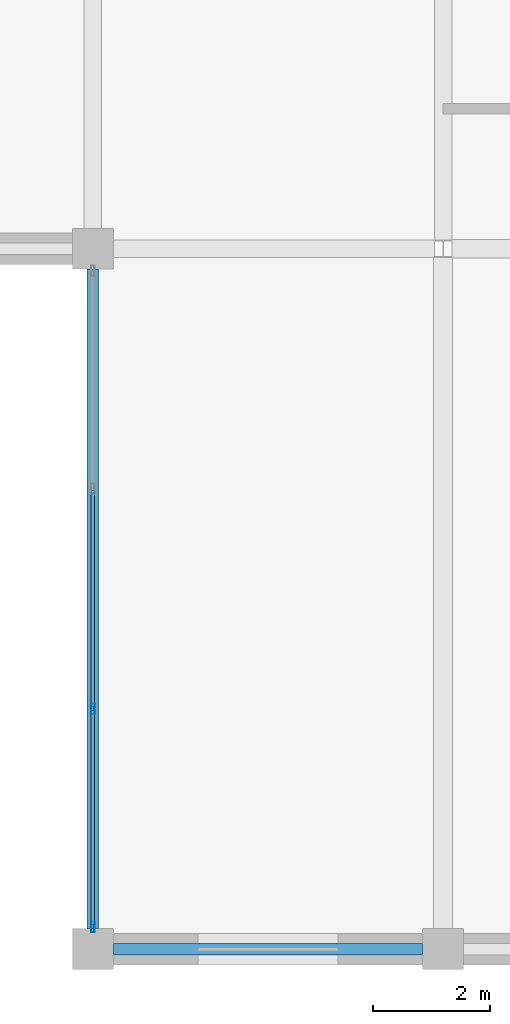
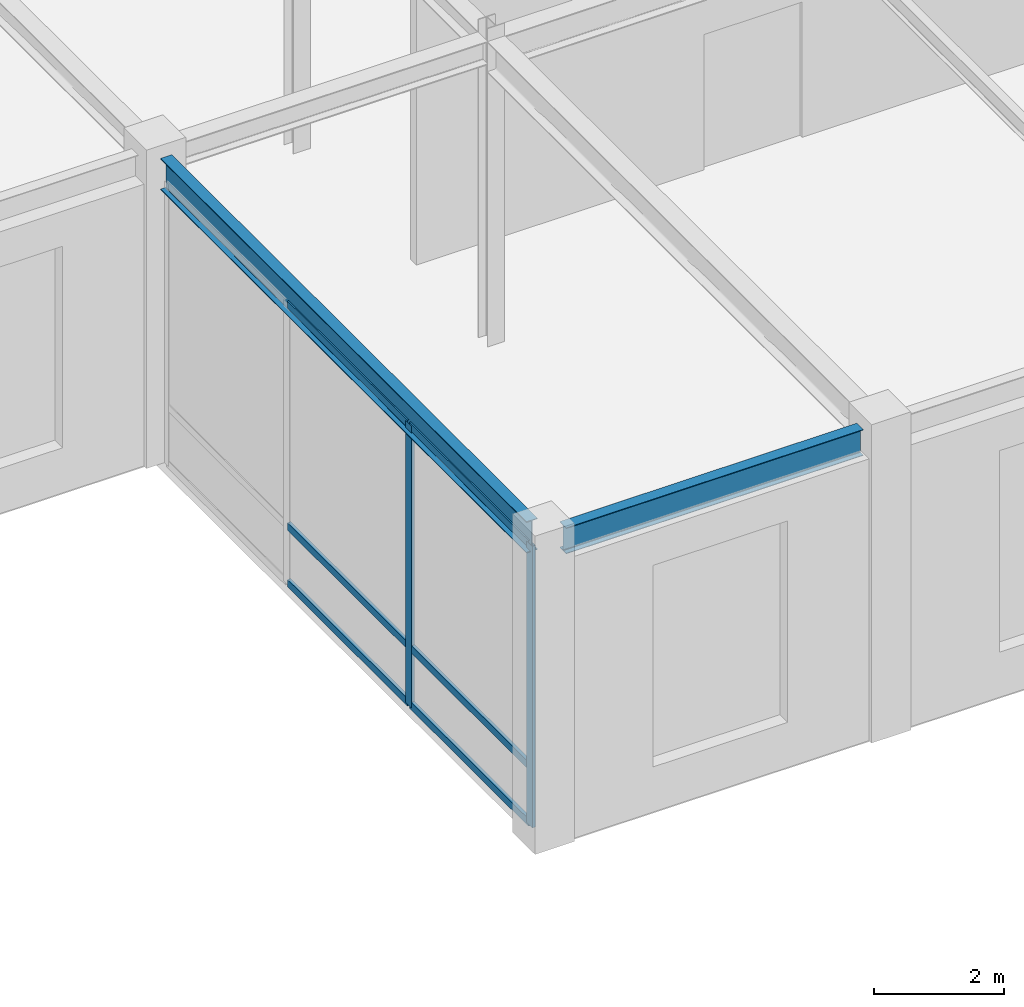
# One storey, part 58 of 108: 8 members, 2 beams, 1 element without a shape of its own.
"""IFC4 building model written with IfcOpenShell, lengths in metres."""

import ifcopenshell
import ifcopenshell.guid

model = None  # the IFC model being written
_history = None  # IfcOwnerHistory: only IFC2X3 demands one
_inside = {}  # id of a spatial element -> (the spatial element, [elements in it])
_under = {}  # id of a project, library or spatial element -> (it, [spatial elements below it])
_declared = {}  # id of a project -> (the project, [libraries it declares])
_typed = {}  # id of a type object -> (the type object, [elements of that type])
_made_of = {}  # id of a material, layer set ... -> (it, [elements and type objects made of it])


def new_model(schema):
    """Start an empty IFC model of exactly this schema.

    Asked for "IFC4X3", IfcOpenShell would pick the latest addendum, in which some entities
    have other attributes; the version numbers below select the first issue.
    IFC2X3 requires an IfcOwnerHistory on every rooted entity: one is made here for all.
    """
    global model, _history
    if schema == "IFC4X3":
        model = ifcopenshell.file(schema_version=(4, 3, 0, 0))
    else:
        model = ifcopenshell.file(schema=schema)
    _inside.clear()
    _under.clear()
    _declared.clear()
    _typed.clear()
    _made_of.clear()
    _history = None
    if model.schema == "IFC2X3":
        org = make("IfcOrganization", Name="unknown")
        user = make(
            "IfcPersonAndOrganization",
            ThePerson=make("IfcPerson", FamilyName="unknown"),
            TheOrganization=org,
        )
        app = make(
            "IfcApplication",
            ApplicationDeveloper=org,
            Version="unknown",
            ApplicationFullName="unknown",
            ApplicationIdentifier="unknown",
        )
        _history = make(
            "IfcOwnerHistory",
            OwningUser=user,
            OwningApplication=app,
            ChangeAction="ADDED",
            CreationDate=0,
        )
    return model


def make(cls, **values):
    """One entity of the class cls with the attributes given. An attribute that is None is left unset."""
    return model.create_entity(
        cls, **{name: value for name, value in values.items() if value is not None}
    )


def rooted(cls, **values):
    """An entity with a GlobalId (a new one), such as an element, a storey or a relation."""
    return make(cls, GlobalId=ifcopenshell.guid.new(), OwnerHistory=_history, **values)


def si_unit(unit_type, name, prefix=None):
    """IfcSIUnit, for example si_unit("LENGTHUNIT", "METRE", prefix="MILLI")."""
    return make("IfcSIUnit", UnitType=unit_type, Prefix=prefix, Name=name)


def assignment(units):
    """IfcUnitAssignment: the units of a project."""
    return None if units is None else make("IfcUnitAssignment", Units=units)


def point(xyz):
    """IfcCartesianPoint."""
    return None if xyz is None else make("IfcCartesianPoint", Coordinates=xyz)


def direction(xyz):
    """IfcDirection."""
    return None if xyz is None else make("IfcDirection", DirectionRatios=xyz)


def frame(location, z_axis=None, x_axis=None):
    """IfcAxis2Placement3D, a coordinate frame: its origin and axes. An axis left out is left unset."""
    return make(
        "IfcAxis2Placement3D",
        Location=point(location),
        Axis=direction(z_axis),
        RefDirection=direction(x_axis),
    )


def frame_2d(location, x_axis=None):
    """IfcAxis2Placement2D, a coordinate frame in the plane: its origin and x axis."""
    return make(
        "IfcAxis2Placement2D", Location=point(location), RefDirection=direction(x_axis)
    )


def origin():
    """The frame at (0, 0, 0) with its axes left unset."""
    return frame((0.0, 0.0, 0.0))


def origin_2d():
    """The frame at (0, 0) in the plane with its x axis left unset."""
    return frame_2d((0.0, 0.0))


def place(relative_to, where):
    """IfcLocalPlacement: puts the frame where relative to a parent placement (None: the world)."""
    return make(
        "IfcLocalPlacement", PlacementRelTo=relative_to, RelativePlacement=where
    )


def context(
    kind, dimensions, precision=None, world=None, true_north=None, identifier=None
):
    """IfcGeometricRepresentationContext, for example the 3D "Model" context."""
    return make(
        "IfcGeometricRepresentationContext",
        ContextIdentifier=identifier,
        ContextType=kind,
        CoordinateSpaceDimension=dimensions,
        Precision=precision,
        WorldCoordinateSystem=world,
        TrueNorth=true_north,
    )


def subcontext(parent, identifier, kind, view, scale=None):
    """IfcGeometricRepresentationSubContext, for example "Body" below "Model"."""
    return make(
        "IfcGeometricRepresentationSubContext",
        ContextIdentifier=identifier,
        ContextType=kind,
        ParentContext=parent,
        TargetScale=scale,
        TargetView=view,
    )


def project(units=None, contexts=None):
    """IfcProject with its units and contexts."""
    return rooted(
        "IfcProject",
        Name="project",
        RepresentationContexts=contexts,
        UnitsInContext=assignment(units),
    )


def spatial(cls, under=None, at=None, **own):
    """A site, building, storey or space (cls), placed at a placement, below another one or the project."""
    s = rooted(cls, ObjectPlacement=at, **own)
    if under is not None:
        _under.setdefault(under.id(), (under, []))[1].append(s)
    return s


def profile(cls, at=None, kind="AREA", **sizes):
    """A parametric profile (cls). Its sizes go by their IFC names, for example OverallWidth=200.0."""
    return make(cls, ProfileType=kind, Position=at, **sizes)


def hollow_rectangle(**sizes):
    """IfcRectangleHollowProfileDef."""
    return profile("IfcRectangleHollowProfileDef", **sizes)


def i_section(**sizes):
    """IfcIShapeProfileDef."""
    return profile("IfcIShapeProfileDef", **sizes)


def extrude(swept, where, along, depth):
    """IfcExtrudedAreaSolid: the profile swept, set in the frame where, extruded along a direction by depth."""
    return make(
        "IfcExtrudedAreaSolid",
        SweptArea=swept,
        Position=where,
        ExtrudedDirection=direction(along),
        Depth=depth,
    )


def shape(context_of_items, identifier, shape_type, items):
    """IfcShapeRepresentation: the items that make up one representation, for example the "Body"."""
    return make(
        "IfcShapeRepresentation",
        ContextOfItems=context_of_items,
        RepresentationIdentifier=identifier,
        RepresentationType=shape_type,
        Items=items,
    )


def material(Name=None, Category=None):
    """IfcMaterial."""
    return make("IfcMaterial", Name=Name, Category=Category)


def layer(
    of_material, thickness, ventilated=None, Name=None, Category=None, Priority=None
):
    """IfcMaterialLayer: one layer of a wall or slab, of a material (None: an air gap)."""
    return make(
        "IfcMaterialLayer",
        Material=of_material,
        LayerThickness=thickness,
        IsVentilated=ventilated,
        Name=Name,
        Category=Category,
        Priority=Priority,
    )


def layer_set(layers, Name=None):
    """IfcMaterialLayerSet."""
    return make("IfcMaterialLayerSet", MaterialLayers=layers, LayerSetName=Name)


def material_profile(
    of_material, cross_section, Name=None, Category=None, Priority=None
):
    """IfcMaterialProfile: a cross section and its material."""
    return make(
        "IfcMaterialProfile",
        Name=Name,
        Material=of_material,
        Profile=cross_section,
        Priority=Priority,
        Category=Category,
    )


def profile_set(profiles, Name=None, composite=None):
    """IfcMaterialProfileSet."""
    return make(
        "IfcMaterialProfileSet",
        Name=Name,
        MaterialProfiles=profiles,
        CompositeProfile=composite,
    )


def made_of(thing, what):
    """Note that an element or type object is made of a material, layer set ...; save() writes the relation."""
    if what is not None:
        _made_of.setdefault(what.id(), (what, []))[1].append(thing)
    return thing


def type_object(cls, material=None, **own):
    """A type object (cls), such as IfcWallType, which elements share."""
    return made_of(rooted(cls, **own), material)


def element(
    cls,
    number,
    at=None,
    inside=None,
    cuts=None,
    type_object=None,
    material=None,
    context=None,
    identifier="Body",
    shape_type=None,
    held_by="IfcProductDefinitionShape",
    body=None,
    shapes=None,
    **own,
):
    """One element of the class cls, such as IfcWall. Its Tag is "e" and its number.

    at: its placement. inside: the storey or other place that contains it. cuts: it is an
    opening in that element (IfcRelVoidsElement). A single representation is given by context,
    identifier, shape_type and body (its items); several are given by shapes. held_by: the class
    of the entity that holds the representations. save() writes the other relations.
    """
    e = rooted(cls, Tag="e%d" % number, ObjectPlacement=at, **own)
    if body is not None:
        shapes = [shape(context, identifier, shape_type, body)]
    if shapes is not None:
        e.Representation = make(held_by, Representations=shapes)
    if inside is not None:
        _inside.setdefault(inside.id(), (inside, []))[1].append(e)
    if cuts is not None:
        rooted(
            "IfcRelVoidsElement", RelatingBuildingElement=cuts, RelatedOpeningElement=e
        )
    if type_object is not None:
        _typed.setdefault(type_object.id(), (type_object, []))[1].append(e)
    return made_of(e, material)


def aggregate(whole, parts):
    """IfcRelAggregates: a whole, such as a stair, and the parts it consists of."""
    return rooted("IfcRelAggregates", RelatingObject=whole, RelatedObjects=parts)


def save(model, path):
    """Write the relations noted so far, then the file.

    IfcRelAggregates (storeys below a building ...), IfcRelContainedInSpatialStructure (elements
    in a storey), IfcRelDefinesByType, IfcRelAssociatesMaterial and IfcRelDeclares: one each for
    every whole, place, type object, material and project.
    """
    for whole, parts in _under.values():
        aggregate(whole, parts)
    for where, things in _inside.values():
        rooted(
            "IfcRelContainedInSpatialStructure",
            RelatedElements=things,
            RelatingStructure=where,
        )
    for kind, things in _typed.values():
        rooted("IfcRelDefinesByType", RelatedObjects=things, RelatingType=kind)
    for what, things in _made_of.values():
        rooted("IfcRelAssociatesMaterial", RelatedObjects=things, RelatingMaterial=what)
    for by, libraries in _declared.values():
        rooted("IfcRelDeclares", RelatingContext=by, RelatedDefinitions=libraries)
    model.write(path)


model = new_model("IFC4")

# Units and contexts
model_context = context("Model", 3, precision=1e-05, world=origin(), true_north=direction((0.0, 1.0)))
body_context = subcontext(model_context, "Body", "Model", "MODEL_VIEW")
ifc_project = project(units=[si_unit("LENGTHUNIT", "METRE"), si_unit("AREAUNIT", "SQUARE_METRE"), si_unit("VOLUMEUNIT", "CUBIC_METRE"), si_unit("PLANEANGLEUNIT", "RADIAN"), si_unit("MASSUNIT", "GRAM", prefix="KILO")], contexts=[model_context])

# Site, building, storey
site_placement = place(None, origin())
site = spatial("IfcSite", under=ifc_project, at=site_placement, CompositionType="ELEMENT")
building_placement = place(site_placement, origin())
building = spatial("IfcBuilding", under=site, at=building_placement, Name="Zlatovratsky Civic Hall", CompositionType="ELEMENT")
storey_placement = place(building_placement, frame((0.0, 0.0, 6.0)))
storey = spatial("IfcBuildingStorey", under=building, at=storey_placement, Name="L02", CompositionType="ELEMENT", Elevation=6.0)

# Beams
ifc_material_1 = material(Name="Steel S355", Category="steel")
ifc_material_profile_1 = material_profile(ifc_material_1, i_section(OverallWidth=0.198974609375, OverallDepth=0.491943359375, WebThickness=0.0087890625, FlangeThickness=0.011962890625, FilletRadius=0.01611328125, at=origin_2d()), Name="50B1")
ifc_profile_set_1 = profile_set([ifc_material_profile_1], Name="Steel S355")
beam_type_1 = type_object("IfcBeamType", Name="Beam_Spandrel_50B1", PredefinedType="SPANDREL", material=ifc_profile_set_1)
beam_1_placement = place(storey_placement, frame((114.35009765625, 0.0, 5.513916015625), z_axis=(1.0, 0.0, 0.0), x_axis=(0.0, 1.0, 0.0)))
element("IfcBeam", 1, at=beam_1_placement, inside=storey, type_object=beam_type_1, Name="BM-1733", PredefinedType="SPANDREL", context=body_context, shape_type="SweptSolid", body=[
    extrude(i_section(OverallWidth=0.198974609375, OverallDepth=0.491943359375, WebThickness=0.0087890625, FlangeThickness=0.011962890625, FilletRadius=0.01611328125, at=origin_2d()), origin(), (0.0, 0.0, 1.0), 5.2998046875),
])
ifc_material_profile_2 = material_profile(ifc_material_1, i_section(OverallWidth=0.198974609375, OverallDepth=0.593017578125, WebThickness=0.010498046875, FlangeThickness=0.014892578125, FilletRadius=0.01806640625, at=origin_2d()), Name="60B1")
ifc_profile_set_2 = profile_set([ifc_material_profile_2], Name="Steel S355")
beam_type_2 = type_object("IfcBeamType", Name="Beam_Spandrel_60B1", PredefinedType="SPANDREL", material=ifc_profile_set_2)
beam_2_placement = place(storey_placement, frame((114.0, 0.35009765625, 5.46337890625), z_axis=(0.0, 1.0, 0.0), x_axis=(-1.0, 0.0, 0.0)))
element("IfcBeam", 2, at=beam_2_placement, inside=storey, type_object=beam_type_2, Name="BM-2282", PredefinedType="SPANDREL", context=body_context, shape_type="SweptSolid", body=[
    extrude(i_section(OverallWidth=0.198974609375, OverallDepth=0.593017578125, WebThickness=0.010498046875, FlangeThickness=0.014892578125, FilletRadius=0.01806640625, at=origin_2d()), origin(), (0.0, 0.0, 1.0), 11.2998046875),
])

# Curtain wall, members
ifc_material_2 = material(Name="Anodised bronze aluminium", Category="aluminium")
ifc_layer = layer(ifc_material_2, 0.159912109375)
ifc_layer_set = layer_set([ifc_layer], Name="Anodised bronze aluminium")
curtain_wall_type = type_object("IfcCurtainWallType", Name="CurtainWall_Bronze_11300x5310_02", PredefinedType="NOTDEFINED", material=ifc_layer_set)
curtain_wall_placement = place(storey_placement, origin())
curtain_wall = element("IfcCurtainWall", 3, at=curtain_wall_placement, inside=storey, type_object=curtain_wall_type, Name="CW-004", PredefinedType="NOTDEFINED")
ifc_material_profile_3 = material_profile(ifc_material_2, hollow_rectangle(XDim=0.06005859375, YDim=0.179931640625, WallThickness=0.00390625, at=origin_2d()), Name="ALU 60x180x4")
ifc_profile_set_3 = profile_set([ifc_material_profile_3], Name="Anodised bronze aluminium")
member_type_1 = type_object("IfcMemberType", Name="CW_Mullion_60x180", PredefinedType="MULLION", material=ifc_profile_set_3)
member_1_placement = place(storey_placement, frame((114.0, 0.3798828125, 0.0), z_axis=(0.0, 0.0, 1.0), x_axis=(-1.0, 0.0, 0.0)))
member_1 = element("IfcMember", 4, at=member_1_placement, type_object=member_type_1, Name="CW-02 mullion 1", PredefinedType="MULLION", context=body_context, shape_type="SweptSolid", body=[
    extrude(hollow_rectangle(XDim=0.06005859375, YDim=0.179931640625, WallThickness=0.00390625, at=origin_2d()), origin(), (0.0, 0.0, 1.0), 5.31005859375),
])
member_2_placement = place(storey_placement, frame((114.0, 4.11669921875, 0.0), z_axis=(0.0, 0.0, 1.0), x_axis=(-1.0, 0.0, 0.0)))
member_2 = element("IfcMember", 5, at=member_2_placement, type_object=member_type_1, Name="CW-02 mullion 2", PredefinedType="MULLION", context=body_context, shape_type="SweptSolid", body=[
    extrude(hollow_rectangle(XDim=0.06005859375, YDim=0.179931640625, WallThickness=0.00390625, at=origin_2d()), origin(), (0.0, 0.0, 1.0), 5.31005859375),
])
ifc_material_profile_4 = material_profile(ifc_material_2, hollow_rectangle(XDim=0.06005859375, YDim=0.139892578125, WallThickness=0.00390625, at=origin_2d()), Name="ALU 60x140x4")
ifc_profile_set_4 = profile_set([ifc_material_profile_4], Name="Anodised bronze aluminium")
member_type_2 = type_object("IfcMemberType", Name="CW_Transom_60x140", PredefinedType="USERDEFINED", material=ifc_profile_set_4)
member_3_placement = place(storey_placement, frame((114.0, 0.409912109375, 0.030029296875), z_axis=(0.0, 1.0, 0.0), x_axis=(-1.0, 0.0, 0.0)))
member_3 = element("IfcMember", 6, at=member_3_placement, type_object=member_type_2, Name="CW-02 transom 1.1", ObjectType="TRANSOM", PredefinedType="USERDEFINED", context=body_context, shape_type="SweptSolid", body=[
    extrude(hollow_rectangle(XDim=0.06005859375, YDim=0.139892578125, WallThickness=0.00390625, at=origin_2d()), origin(), (0.0, 0.0, 1.0), 3.6767578125),
])
member_4_placement = place(storey_placement, frame((114.0, 0.409912109375, 1.10009765625), z_axis=(0.0, 1.0, 0.0), x_axis=(-1.0, 0.0, 0.0)))
member_4 = element("IfcMember", 7, at=member_4_placement, type_object=member_type_2, Name="CW-02 transom 1.2", ObjectType="TRANSOM", PredefinedType="USERDEFINED", context=body_context, shape_type="SweptSolid", body=[
    extrude(hollow_rectangle(XDim=0.06005859375, YDim=0.139892578125, WallThickness=0.00390625, at=origin_2d()), origin(), (0.0, 0.0, 1.0), 3.6767578125),
])
member_5_placement = place(storey_placement, frame((114.0, 0.409912109375, 5.280029296875), z_axis=(0.0, 1.0, 0.0), x_axis=(-1.0, 0.0, 0.0)))
member_5 = element("IfcMember", 8, at=member_5_placement, type_object=member_type_2, Name="CW-02 transom 1.3", ObjectType="TRANSOM", PredefinedType="USERDEFINED", context=body_context, shape_type="SweptSolid", body=[
    extrude(hollow_rectangle(XDim=0.06005859375, YDim=0.139892578125, WallThickness=0.00390625, at=origin_2d()), origin(), (0.0, 0.0, 1.0), 3.6767578125),
])
member_6_placement = place(storey_placement, frame((114.0, 4.146728515625, 0.030029296875), z_axis=(0.0, 1.0, 0.0), x_axis=(-1.0, 0.0, 0.0)))
member_6 = element("IfcMember", 9, at=member_6_placement, type_object=member_type_2, Name="CW-02 transom 2.1", ObjectType="TRANSOM", PredefinedType="USERDEFINED", context=body_context, shape_type="SweptSolid", body=[
    extrude(hollow_rectangle(XDim=0.06005859375, YDim=0.139892578125, WallThickness=0.00390625, at=origin_2d()), origin(), (0.0, 0.0, 1.0), 3.70654296875),
])
member_7_placement = place(storey_placement, frame((114.0, 4.146728515625, 1.10009765625), z_axis=(0.0, 1.0, 0.0), x_axis=(-1.0, 0.0, 0.0)))
member_7 = element("IfcMember", 10, at=member_7_placement, type_object=member_type_2, Name="CW-02 transom 2.2", ObjectType="TRANSOM", PredefinedType="USERDEFINED", context=body_context, shape_type="SweptSolid", body=[
    extrude(hollow_rectangle(XDim=0.06005859375, YDim=0.139892578125, WallThickness=0.00390625, at=origin_2d()), origin(), (0.0, 0.0, 1.0), 3.70654296875),
])
member_8_placement = place(storey_placement, frame((114.0, 4.146728515625, 5.280029296875), z_axis=(0.0, 1.0, 0.0), x_axis=(-1.0, 0.0, 0.0)))
member_8 = element("IfcMember", 11, at=member_8_placement, type_object=member_type_2, Name="CW-02 transom 2.3", ObjectType="TRANSOM", PredefinedType="USERDEFINED", context=body_context, shape_type="SweptSolid", body=[
    extrude(hollow_rectangle(XDim=0.06005859375, YDim=0.139892578125, WallThickness=0.00390625, at=origin_2d()), origin(), (0.0, 0.0, 1.0), 3.70654296875),
])
aggregate(curtain_wall, [member_1, member_2, member_3, member_4, member_5, member_6, member_7, member_8])

save(model, "model.ifc")
